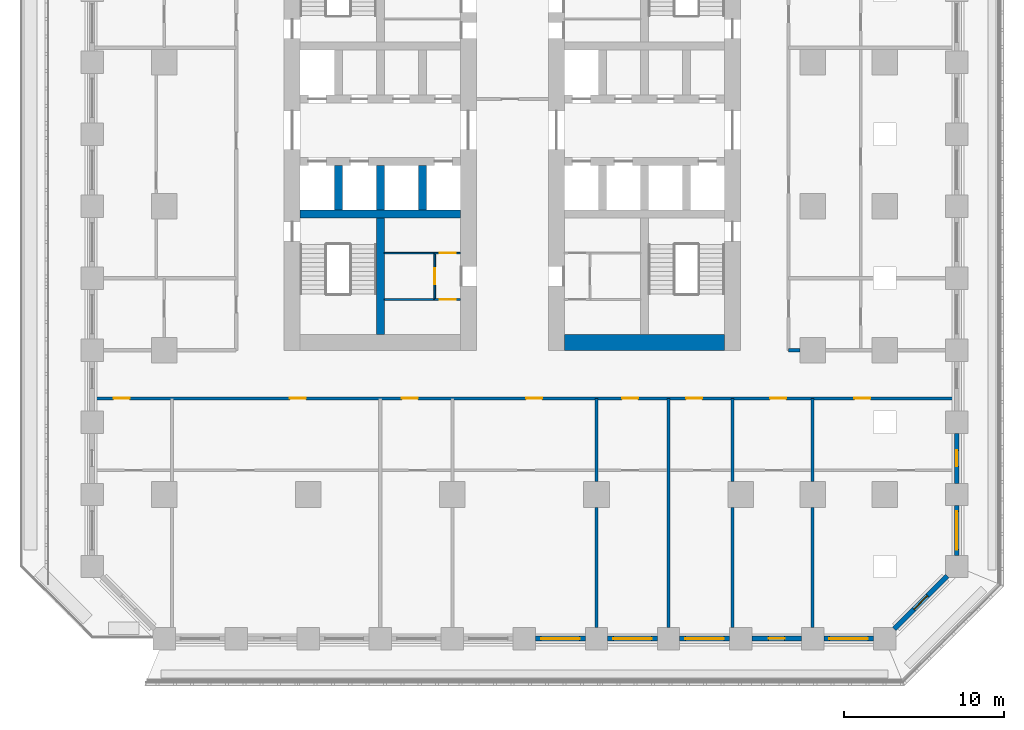
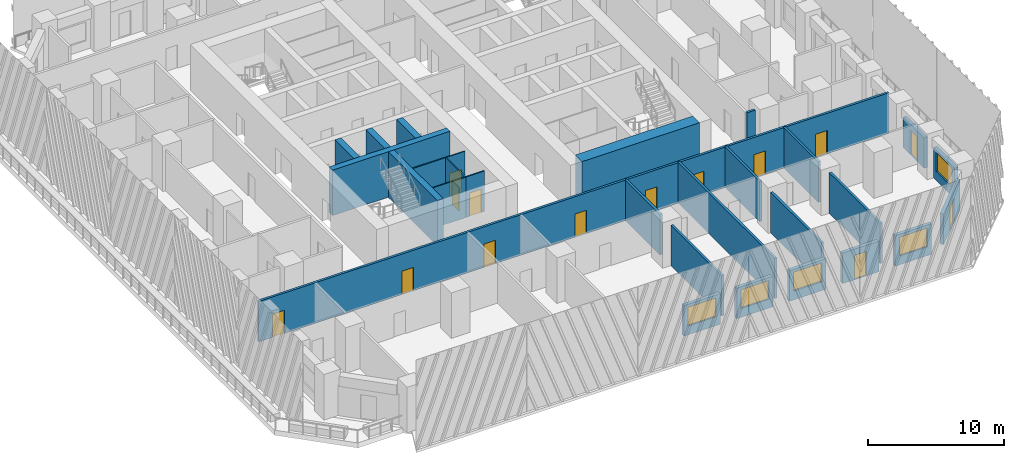
# One storey, part 4 of 15: 28 walls, 14 doors, 5 windows, 19 openings.
"""IFC4 building model written with IfcOpenShell, lengths in metres."""

from ifc_helpers import new_model, si_unit, direction, frame, frame_2d, origin, place, context, subcontext, project, spatial, rectangle, extrude, material, layer, layer_set, type_object, element, fill, save


model = new_model("IFC4")

# Units and contexts
model_context = context("Model", 3, precision=1e-05, world=origin(), true_north=direction((0.0, 1.0)))
body_context = subcontext(model_context, "Body", "Model", "MODEL_VIEW")
ifc_project = project(units=[si_unit("LENGTHUNIT", "METRE"), si_unit("AREAUNIT", "SQUARE_METRE"), si_unit("VOLUMEUNIT", "CUBIC_METRE"), si_unit("PLANEANGLEUNIT", "RADIAN"), si_unit("MASSUNIT", "GRAM", prefix="KILO")], contexts=[model_context])

# Site, building, storey
site_placement = place(None, origin())
site = spatial("IfcSite", under=ifc_project, at=site_placement, CompositionType="ELEMENT")
building_placement = place(site_placement, origin())
building = spatial("IfcBuilding", under=site, at=building_placement, Name="Corbel Stack Research Tower", CompositionType="ELEMENT")
storey_placement = place(building_placement, frame((0.0, 0.0, 41.89990234375)))
storey = spatial("IfcBuildingStorey", under=building, at=storey_placement, Name="L09", CompositionType="ELEMENT", Elevation=41.89990234375)

# Walls
ifc_material_1 = material(Name="Concrete C70/85", Category="concrete")
ifc_layer_1 = layer(ifc_material_1, 1.0)
ifc_layer_set_1 = layer_set([ifc_layer_1], Name="Concrete C70/85")
wall_type_1 = type_object("IfcWallType", Name="CW-1000-70", PredefinedType="SHEAR", material=ifc_layer_set_1)
wall_1_placement = place(storey_placement, frame((7.0, -8.5, 0.0), z_axis=(0.0, 0.0, 1.0), x_axis=(1.0, 0.0, 0.0)))
element("IfcWall", 1, at=wall_1_placement, inside=storey, type_object=wall_type_1, Name="East core wall, south end L09", PredefinedType="SHEAR", context=body_context, shape_type="SweptSolid", body=[
    extrude(rectangle(XDim=10.0, YDim=1.0, at=frame_2d((5.0, 0.0))), origin(), (0.0, 0.0, 1.0), 4.10009765625),
])
ifc_material_2 = material(Name="Concrete C70/85", Category="concrete")
ifc_layer_2 = layer(ifc_material_2, 0.5)
ifc_layer_set_2 = layer_set([ifc_layer_2], Name="Concrete C70/85")
wall_type_2 = type_object("IfcWallType", Name="CW-500-70", PredefinedType="SHEAR", material=ifc_layer_set_2)
wall_2_placement = place(storey_placement, frame((-9.5, -0.5, 0.0), z_axis=(0.0, 0.0, 1.0), x_axis=(1.0, 0.0, 0.0)))
element("IfcWall", 2, at=wall_2_placement, inside=storey, type_object=wall_type_2, Name="West core wall, south row back L09", PredefinedType="SHEAR", context=body_context, shape_type="SweptSolid", body=[
    extrude(rectangle(XDim=10.0, YDim=0.5, at=frame_2d((5.0, 0.0))), origin(), (0.0, 0.0, 1.0), 4.10009765625),
])
for number, where, z_axis, x_axis, name in (
    (3, (-7.125, -0.25, 0.0), (0.0, 0.0, 1.0), (0.0, 1.0, 0.0), "West core wall, south shaft 1 L09"),
    (4, (-4.5, -0.25, 0.0), (0.0, 0.0, 1.0), (0.0, 1.0, 0.0), "West core wall, south shaft 2 L09"),
    (5, (-1.875, -0.25, 0.0), (0.0, 0.0, 1.0), (0.0, 1.0, 0.0), "West core wall, south shaft 3 L09"),
):
    element("IfcWall", number, at=place(storey_placement, frame(where, z_axis=z_axis, x_axis=x_axis)), inside=storey, type_object=wall_type_2, Name=name, PredefinedType="SHEAR", context=body_context, shape_type="SweptSolid", body=[
        extrude(rectangle(XDim=2.800048828125, YDim=0.5, at=frame_2d((1.39990234375, 0.0))), origin(), (0.0, 0.0, 1.0), 4.10009765625),
    ])
wall_3_placement = place(storey_placement, frame((-4.5, -8.0, 0.0), z_axis=(0.0, 0.0, 1.0), x_axis=(0.0, 1.0, 0.0)))
element("IfcWall", 6, at=wall_3_placement, inside=storey, type_object=wall_type_2, Name="West core wall, south stair and WC L09", PredefinedType="SHEAR", context=body_context, shape_type="SweptSolid", body=[
    extrude(rectangle(XDim=7.25, YDim=0.5, at=frame_2d((3.625, 0.0))), origin(), (0.0, 0.0, 1.0), 4.10009765625),
])

# Wall, opening, door
ifc_material_3 = material(Name="Gypsum board")
ifc_layer_3 = layer(ifc_material_3, 0.10009765625)
ifc_layer_set_3 = layer_set([ifc_layer_3], Name="Gypsum board")
wall_type_3 = type_object("IfcWallType", Name="Core partition 100", PredefinedType="PARTITIONING", material=ifc_layer_set_3)
wall_4_placement = place(storey_placement, frame((-1.10009765625, -5.824951171875, 0.0), z_axis=(0.0, 0.0, 1.0), x_axis=(1.0, 0.0, 0.0)))
wall_4 = element("IfcWall", 7, at=wall_4_placement, inside=storey, type_object=wall_type_3, Name="Core partition W", PredefinedType="PARTITIONING", context=body_context, shape_type="SweptSolid", body=[
    extrude(rectangle(XDim=1.60009765625, YDim=0.10009765625, at=frame_2d((0.800048828125, 0.0))), origin(), (0.0, 0.0, 1.0), 3.650146484375),
])
opening_1_placement = place(wall_4_placement, frame((0.300048828125, 0.0, 0.0)))
opening_1 = element("IfcOpeningElement", 8, at=opening_1_placement, cuts=wall_4, Name="Opening CR-W36-W2-1000", PredefinedType="OPENING", context=body_context, shape_type="SweptSolid", body=[
    extrude(rectangle(XDim=1.0, YDim=2.10009765625, at=frame_2d((0.5, 1.050048828125))), frame((0.0, 0.06005859375, 0.0), z_axis=(0.0, -1.0, 0.0), x_axis=(1.0, 0.0, 0.0)), (0.0, 0.0, 1.0), 0.1201171875),
])
ifc_material_4 = material(Name="Painted timber door", Category="wood")
door_type_1 = type_object("IfcDoorType", Name="WC door 1000 x 2100 right hand", OperationType="SINGLE_SWING_RIGHT", PredefinedType="DOOR", material=ifc_material_4)
door_1_placement = place(opening_1_placement, origin())
door_1 = element("IfcDoor", 9, at=door_1_placement, inside=storey, type_object=door_type_1, Name="Men's WC door W core", OperationType="SINGLE_SWING_RIGHT", OverallHeight=2.10009765625, OverallWidth=1.0, PredefinedType="DOOR", context=body_context, shape_type="SweptSolid", body=[
    extrude(rectangle(XDim=1.0, YDim=2.10009765625, at=frame_2d((0.5, 1.050048828125))), frame((0.0, 0.02490234375, 0.0), z_axis=(0.0, -1.0, 0.0), x_axis=(1.0, 0.0, 0.0)), (0.0, 0.0, 1.0), 0.050048828125),
])
fill(opening_1, door_1)

wall_5_placement = place(storey_placement, frame((-1.10009765625, -2.925048828125, 0.0), z_axis=(0.0, 0.0, 1.0), x_axis=(1.0, 0.0, 0.0)))
wall_5 = element("IfcWall", 10, at=wall_5_placement, inside=storey, type_object=wall_type_3, Name="Core partition W", PredefinedType="PARTITIONING", context=body_context, shape_type="SweptSolid", body=[
    extrude(rectangle(XDim=1.60009765625, YDim=0.10009765625, at=frame_2d((0.800048828125, 0.0))), origin(), (0.0, 0.0, 1.0), 3.650146484375),
])
opening_2_placement = place(wall_5_placement, frame((0.300048828125, 0.0, 0.0)))
opening_2 = element("IfcOpeningElement", 11, at=opening_2_placement, cuts=wall_5, Name="Opening CR-W36-W3-1000", PredefinedType="OPENING", context=body_context, shape_type="SweptSolid", body=[
    extrude(rectangle(XDim=1.0, YDim=2.10009765625, at=frame_2d((0.5, 1.050048828125))), frame((0.0, 0.06005859375, 0.0), z_axis=(0.0, -1.0, 0.0), x_axis=(1.0, 0.0, 0.0)), (0.0, 0.0, 1.0), 0.1201171875),
])
ifc_material_5 = material(Name="Painted timber door", Category="wood")
door_type_2 = type_object("IfcDoorType", Name="WC door 1000 x 2100 left hand", OperationType="SINGLE_SWING_LEFT", PredefinedType="DOOR", material=ifc_material_5)
door_2_placement = place(opening_2_placement, origin())
door_2 = element("IfcDoor", 12, at=door_2_placement, inside=storey, type_object=door_type_2, Name="Women's WC door W core", OperationType="SINGLE_SWING_LEFT", OverallHeight=2.10009765625, OverallWidth=1.0, PredefinedType="DOOR", context=body_context, shape_type="SweptSolid", body=[
    extrude(rectangle(XDim=1.0, YDim=2.10009765625, at=frame_2d((0.5, 1.050048828125))), frame((0.0, 0.02490234375, 0.0), z_axis=(0.0, -1.0, 0.0), x_axis=(1.0, 0.0, 0.0)), (0.0, 0.0, 1.0), 0.050048828125),
])
fill(opening_2, door_2)

wall_6_placement = place(storey_placement, frame((-1.10009765625, -5.824951171875, 0.0), z_axis=(0.0, 0.0, 1.0), x_axis=(0.0, 1.0, 0.0)))
wall_6 = element("IfcWall", 13, at=wall_6_placement, inside=storey, type_object=wall_type_3, Name="Core partition W", PredefinedType="PARTITIONING", context=body_context, shape_type="SweptSolid", body=[
    extrude(rectangle(XDim=2.89990234375, YDim=0.10009765625, at=frame_2d((1.449951171875, 0.0))), origin(), (0.0, 0.0, 1.0), 3.650146484375),
])
opening_3_placement = place(wall_6_placement, frame((0.949951171875, 0.0, 0.0)))
opening_3 = element("IfcOpeningElement", 14, at=opening_3_placement, cuts=wall_6, Name="Opening CR-W36-W4-1000", PredefinedType="OPENING", context=body_context, shape_type="SweptSolid", body=[
    extrude(rectangle(XDim=1.0, YDim=2.10009765625, at=frame_2d((0.5, 1.050048828125))), frame((0.0, 0.06005859375, 0.0), z_axis=(0.0, -1.0, 0.0), x_axis=(1.0, 0.0, 0.0)), (0.0, 0.0, 1.0), 0.1201171875),
])
door_3_placement = place(opening_3_placement, origin())
door_3 = element("IfcDoor", 15, at=door_3_placement, inside=storey, type_object=door_type_1, Name="Accessible WC door W core", OperationType="SINGLE_SWING_RIGHT", OverallHeight=2.10009765625, OverallWidth=1.0, PredefinedType="DOOR", context=body_context, shape_type="SweptSolid", body=[
    extrude(rectangle(XDim=1.0, YDim=2.10009765625, at=frame_2d((0.5, 1.050048828125))), frame((0.0, 0.02490234375, 0.0), z_axis=(0.0, -1.0, 0.0), x_axis=(1.0, 0.0, 0.0)), (0.0, 0.0, 1.0), 0.050048828125),
])
fill(opening_3, door_3)

# Walls
for number, where, z_axis, x_axis, name in (
    (16, (-4.25, -5.824951171875, 0.0), (0.0, 0.0, 1.0), (1.0, 0.0, 0.0), "Core partition W"),
    (17, (-4.25, -2.925048828125, 0.0), (0.0, 0.0, 1.0), (1.0, 0.0, 0.0), "Core partition W"),
):
    element("IfcWall", number, at=place(storey_placement, frame(where, z_axis=z_axis, x_axis=x_axis)), inside=storey, type_object=wall_type_3, Name=name, PredefinedType="PARTITIONING", context=body_context, shape_type="SweptSolid", body=[
        extrude(rectangle(XDim=3.14990234375, YDim=0.10009765625, at=frame_2d((1.574951171875, 0.0))), origin(), (0.0, 0.0, 1.0), 3.650146484375),
    ])
ifc_material_6 = material(Name="Fire-rated gypsum board partition on steel studs", Category="steel")
ifc_layer_4 = layer(ifc_material_6, 0.199951171875)
ifc_layer_set_4 = layer_set([ifc_layer_4], Name="Fire-rated gypsum board partition on steel studs")
wall_type_4 = type_object("IfcWallType", Name="Fire-rated partition 200 EI 60", PredefinedType="PARTITIONING", material=ifc_layer_set_4)
wall_7_placement = place(storey_placement, frame((9.0, -26.300048828125, 0.0), z_axis=(0.0, 0.0, 1.0), x_axis=(0.0, 1.0, 0.0)))
element("IfcWall", 18, at=wall_7_placement, inside=storey, type_object=wall_type_4, Name="Partition L09-014", PredefinedType="PARTITIONING", context=body_context, shape_type="SweptSolid", body=[
    extrude(rectangle(XDim=7.5, YDim=0.199951171875, at=frame_2d((3.75, 0.0))), origin(), (0.0, 0.0, 1.0), 3.650146484375),
])
wall_8_placement = place(storey_placement, frame((9.0, -17.199951171875, 0.0), z_axis=(0.0, 0.0, 1.0), x_axis=(0.0, 1.0, 0.0)))
element("IfcWall", 19, at=wall_8_placement, inside=storey, type_object=wall_type_4, Name="Partition L09-015", PredefinedType="PARTITIONING", context=body_context, shape_type="SweptSolid", body=[
    extrude(rectangle(XDim=5.199951171875, YDim=0.199951171875, at=frame_2d((2.60009765625, 0.0))), origin(), (0.0, 0.0, 1.0), 3.650146484375),
])
wall_9_placement = place(storey_placement, frame((13.5, -26.300048828125, 0.0), z_axis=(0.0, 0.0, 1.0), x_axis=(0.0, 1.0, 0.0)))
element("IfcWall", 20, at=wall_9_placement, inside=storey, type_object=wall_type_4, Name="Partition L09-017", PredefinedType="PARTITIONING", context=body_context, shape_type="SweptSolid", body=[
    extrude(rectangle(XDim=14.300048828125, YDim=0.199951171875, at=frame_2d((7.14990234375, 0.0))), origin(), (0.0, 0.0, 1.0), 3.650146484375),
])
wall_10_placement = place(storey_placement, frame((17.5, -26.300048828125, 0.0), z_axis=(0.0, 0.0, 1.0), x_axis=(0.0, 1.0, 0.0)))
element("IfcWall", 21, at=wall_10_placement, inside=storey, type_object=wall_type_4, Name="Partition L09-019", PredefinedType="PARTITIONING", context=body_context, shape_type="SweptSolid", body=[
    extrude(rectangle(XDim=7.5, YDim=0.199951171875, at=frame_2d((3.75, 0.0))), origin(), (0.0, 0.0, 1.0), 3.650146484375),
])
wall_11_placement = place(storey_placement, frame((17.5, -17.199951171875, 0.0), z_axis=(0.0, 0.0, 1.0), x_axis=(0.0, 1.0, 0.0)))
element("IfcWall", 22, at=wall_11_placement, inside=storey, type_object=wall_type_4, Name="Partition L09-020", PredefinedType="PARTITIONING", context=body_context, shape_type="SweptSolid", body=[
    extrude(rectangle(XDim=5.199951171875, YDim=0.199951171875, at=frame_2d((2.60009765625, 0.0))), origin(), (0.0, 0.0, 1.0), 3.650146484375),
])
wall_12_placement = place(storey_placement, frame((22.5, -26.300048828125, 0.0), z_axis=(0.0, 0.0, 1.0), x_axis=(0.0, 1.0, 0.0)))
element("IfcWall", 23, at=wall_12_placement, inside=storey, type_object=wall_type_4, Name="Partition L09-023", PredefinedType="PARTITIONING", context=body_context, shape_type="SweptSolid", body=[
    extrude(rectangle(XDim=7.5, YDim=0.199951171875, at=frame_2d((3.75, 0.0))), origin(), (0.0, 0.0, 1.0), 3.650146484375),
])
wall_13_placement = place(storey_placement, frame((22.5, -17.199951171875, 0.0), z_axis=(0.0, 0.0, 1.0), x_axis=(0.0, 1.0, 0.0)))
element("IfcWall", 24, at=wall_13_placement, inside=storey, type_object=wall_type_4, Name="Partition L09-024", PredefinedType="PARTITIONING", context=body_context, shape_type="SweptSolid", body=[
    extrude(rectangle(XDim=5.199951171875, YDim=0.199951171875, at=frame_2d((2.60009765625, 0.0))), origin(), (0.0, 0.0, 1.0), 3.650146484375),
])

# Wall, openings, doors
wall_14_placement = place(storey_placement, frame((31.35009765625, -12.0, 0.0), z_axis=(0.0, 0.0, 1.0), x_axis=(-1.0, 0.0, 0.0)))
wall_14 = element("IfcWall", 25, at=wall_14_placement, inside=storey, type_object=wall_type_4, Name="Partition L09-028", PredefinedType="PARTITIONING", context=body_context, shape_type="SweptSolid", body=[
    extrude(rectangle(XDim=53.7001953125, YDim=0.199951171875, at=frame_2d((26.85009765625, 0.0))), origin(), (0.0, 0.0, 1.0), 3.650146484375),
])
opening_4_placement = place(wall_14_placement, frame((51.5, 0.0, 0.0)))
opening_4 = element("IfcOpeningElement", 26, at=opening_4_placement, cuts=wall_14, Name="Opening B2V0H-017", PredefinedType="OPENING", context=body_context, shape_type="SweptSolid", body=[
    extrude(rectangle(XDim=1.0, YDim=2.10009765625, at=frame_2d((0.5, 1.050048828125))), frame((0.0, 0.10986328125, 0.0), z_axis=(0.0, -1.0, 0.0), x_axis=(1.0, 0.0, 0.0)), (0.0, 0.0, 1.0), 0.219970703125),
])
opening_5_placement = place(wall_14_placement, frame((40.5, 0.0, 0.0)))
opening_5 = element("IfcOpeningElement", 27, at=opening_5_placement, cuts=wall_14, Name="Opening B2V0H-018", PredefinedType="OPENING", context=body_context, shape_type="SweptSolid", body=[
    extrude(rectangle(XDim=1.0, YDim=2.10009765625, at=frame_2d((0.5, 1.050048828125))), frame((0.0, 0.10986328125, 0.0), z_axis=(0.0, -1.0, 0.0), x_axis=(1.0, 0.0, 0.0)), (0.0, 0.0, 1.0), 0.219970703125),
])
opening_6_placement = place(wall_14_placement, frame((33.5, 0.0, 0.0)))
opening_6 = element("IfcOpeningElement", 28, at=opening_6_placement, cuts=wall_14, Name="Opening B2V0H-019", PredefinedType="OPENING", context=body_context, shape_type="SweptSolid", body=[
    extrude(rectangle(XDim=1.0, YDim=2.10009765625, at=frame_2d((0.5, 1.050048828125))), frame((0.0, 0.10986328125, 0.0), z_axis=(0.0, -1.0, 0.0), x_axis=(1.0, 0.0, 0.0)), (0.0, 0.0, 1.0), 0.219970703125),
])
opening_7_placement = place(wall_14_placement, frame((25.75, 0.0, 0.0)))
opening_7 = element("IfcOpeningElement", 29, at=opening_7_placement, cuts=wall_14, Name="Opening B2V0H-020", PredefinedType="OPENING", context=body_context, shape_type="SweptSolid", body=[
    extrude(rectangle(XDim=1.0, YDim=2.10009765625, at=frame_2d((0.5, 1.050048828125))), frame((0.0, 0.10986328125, 0.0), z_axis=(0.0, -1.0, 0.0), x_axis=(1.0, 0.0, 0.0)), (0.0, 0.0, 1.0), 0.219970703125),
])
opening_8_placement = place(wall_14_placement, frame((19.75, 0.0, 0.0)))
opening_8 = element("IfcOpeningElement", 30, at=opening_8_placement, cuts=wall_14, Name="Opening B2V0H-021", PredefinedType="OPENING", context=body_context, shape_type="SweptSolid", body=[
    extrude(rectangle(XDim=1.0, YDim=2.10009765625, at=frame_2d((0.5, 1.050048828125))), frame((0.0, 0.10986328125, 0.0), z_axis=(0.0, -1.0, 0.0), x_axis=(1.0, 0.0, 0.0)), (0.0, 0.0, 1.0), 0.219970703125),
])
opening_9_placement = place(wall_14_placement, frame((15.75, 0.0, 0.0)))
opening_9 = element("IfcOpeningElement", 31, at=opening_9_placement, cuts=wall_14, Name="Opening B2V0H-022", PredefinedType="OPENING", context=body_context, shape_type="SweptSolid", body=[
    extrude(rectangle(XDim=1.0, YDim=2.10009765625, at=frame_2d((0.5, 1.050048828125))), frame((0.0, 0.10986328125, 0.0), z_axis=(0.0, -1.0, 0.0), x_axis=(1.0, 0.0, 0.0)), (0.0, 0.0, 1.0), 0.219970703125),
])
opening_10_placement = place(wall_14_placement, frame((10.5, 0.0, 0.0)))
opening_10 = element("IfcOpeningElement", 32, at=opening_10_placement, cuts=wall_14, Name="Opening B2V0H-023", PredefinedType="OPENING", context=body_context, shape_type="SweptSolid", body=[
    extrude(rectangle(XDim=1.0, YDim=2.10009765625, at=frame_2d((0.5, 1.050048828125))), frame((0.0, 0.10986328125, 0.0), z_axis=(0.0, -1.0, 0.0), x_axis=(1.0, 0.0, 0.0)), (0.0, 0.0, 1.0), 0.219970703125),
])
opening_11_placement = place(wall_14_placement, frame((5.25, 0.0, 0.0)))
opening_11 = element("IfcOpeningElement", 33, at=opening_11_placement, cuts=wall_14, Name="Opening B2V0H-024", PredefinedType="OPENING", context=body_context, shape_type="SweptSolid", body=[
    extrude(rectangle(XDim=1.0, YDim=2.10009765625, at=frame_2d((0.5, 1.050048828125))), frame((0.0, 0.10986328125, 0.0), z_axis=(0.0, -1.0, 0.0), x_axis=(1.0, 0.0, 0.0)), (0.0, 0.0, 1.0), 0.219970703125),
])
ifc_material_7 = material(Name="Painted steel fire door", Category="steel")
door_type_3 = type_object("IfcDoorType", Name="Fire door FD30S 1000 x 2100", OperationType="NOTDEFINED", PredefinedType="DOOR", material=ifc_material_7)
door_4_placement = place(opening_4_placement, origin())
door_4 = element("IfcDoor", 34, at=door_4_placement, inside=storey, type_object=door_type_3, Name="Door B2V0H-017", OperationType="SINGLE_SWING_RIGHT", OverallHeight=2.10009765625, OverallWidth=1.0, PredefinedType="DOOR", context=body_context, shape_type="SweptSolid", body=[
    extrude(rectangle(XDim=1.0, YDim=2.10009765625, at=frame_2d((0.5, 1.050048828125))), frame((0.0, 0.02490234375, 0.0), z_axis=(0.0, -1.0, 0.0), x_axis=(1.0, 0.0, 0.0)), (0.0, 0.0, 1.0), 0.050048828125),
])
fill(opening_4, door_4)
door_5_placement = place(opening_5_placement, origin())
door_5 = element("IfcDoor", 35, at=door_5_placement, inside=storey, type_object=door_type_3, Name="Door B2V0H-018", OperationType="SINGLE_SWING_RIGHT", OverallHeight=2.10009765625, OverallWidth=1.0, PredefinedType="DOOR", context=body_context, shape_type="SweptSolid", body=[
    extrude(rectangle(XDim=1.0, YDim=2.10009765625, at=frame_2d((0.5, 1.050048828125))), frame((0.0, 0.02490234375, 0.0), z_axis=(0.0, -1.0, 0.0), x_axis=(1.0, 0.0, 0.0)), (0.0, 0.0, 1.0), 0.050048828125),
])
fill(opening_5, door_5)
door_6_placement = place(opening_6_placement, origin())
door_6 = element("IfcDoor", 36, at=door_6_placement, inside=storey, type_object=door_type_3, Name="Door B2V0H-019", OperationType="SINGLE_SWING_RIGHT", OverallHeight=2.10009765625, OverallWidth=1.0, PredefinedType="DOOR", context=body_context, shape_type="SweptSolid", body=[
    extrude(rectangle(XDim=1.0, YDim=2.10009765625, at=frame_2d((0.5, 1.050048828125))), frame((0.0, 0.02490234375, 0.0), z_axis=(0.0, -1.0, 0.0), x_axis=(1.0, 0.0, 0.0)), (0.0, 0.0, 1.0), 0.050048828125),
])
fill(opening_6, door_6)
door_7_placement = place(opening_7_placement, origin())
door_7 = element("IfcDoor", 37, at=door_7_placement, inside=storey, type_object=door_type_3, Name="Door B2V0H-020", OperationType="SINGLE_SWING_LEFT", OverallHeight=2.10009765625, OverallWidth=1.0, PredefinedType="DOOR", context=body_context, shape_type="SweptSolid", body=[
    extrude(rectangle(XDim=1.0, YDim=2.10009765625, at=frame_2d((0.5, 1.050048828125))), frame((0.0, 0.02490234375, 0.0), z_axis=(0.0, -1.0, 0.0), x_axis=(1.0, 0.0, 0.0)), (0.0, 0.0, 1.0), 0.050048828125),
])
fill(opening_7, door_7)
door_8_placement = place(opening_8_placement, origin())
door_8 = element("IfcDoor", 38, at=door_8_placement, inside=storey, type_object=door_type_3, Name="Door B2V0H-021", OperationType="SINGLE_SWING_LEFT", OverallHeight=2.10009765625, OverallWidth=1.0, PredefinedType="DOOR", context=body_context, shape_type="SweptSolid", body=[
    extrude(rectangle(XDim=1.0, YDim=2.10009765625, at=frame_2d((0.5, 1.050048828125))), frame((0.0, 0.02490234375, 0.0), z_axis=(0.0, -1.0, 0.0), x_axis=(1.0, 0.0, 0.0)), (0.0, 0.0, 1.0), 0.050048828125),
])
fill(opening_8, door_8)
door_9_placement = place(opening_9_placement, origin())
door_9 = element("IfcDoor", 39, at=door_9_placement, inside=storey, type_object=door_type_3, Name="Door B2V0H-022", OperationType="SINGLE_SWING_LEFT", OverallHeight=2.10009765625, OverallWidth=1.0, PredefinedType="DOOR", context=body_context, shape_type="SweptSolid", body=[
    extrude(rectangle(XDim=1.0, YDim=2.10009765625, at=frame_2d((0.5, 1.050048828125))), frame((0.0, 0.02490234375, 0.0), z_axis=(0.0, -1.0, 0.0), x_axis=(1.0, 0.0, 0.0)), (0.0, 0.0, 1.0), 0.050048828125),
])
fill(opening_9, door_9)
door_10_placement = place(opening_10_placement, origin())
door_10 = element("IfcDoor", 40, at=door_10_placement, inside=storey, type_object=door_type_3, Name="Door B2V0H-023", OperationType="SINGLE_SWING_LEFT", OverallHeight=2.10009765625, OverallWidth=1.0, PredefinedType="DOOR", context=body_context, shape_type="SweptSolid", body=[
    extrude(rectangle(XDim=1.0, YDim=2.10009765625, at=frame_2d((0.5, 1.050048828125))), frame((0.0, 0.02490234375, 0.0), z_axis=(0.0, -1.0, 0.0), x_axis=(1.0, 0.0, 0.0)), (0.0, 0.0, 1.0), 0.050048828125),
])
fill(opening_10, door_10)
door_11_placement = place(opening_11_placement, origin())
door_11 = element("IfcDoor", 41, at=door_11_placement, inside=storey, type_object=door_type_3, Name="Door B2V0H-024", OperationType="SINGLE_SWING_LEFT", OverallHeight=2.10009765625, OverallWidth=1.0, PredefinedType="DOOR", context=body_context, shape_type="SweptSolid", body=[
    extrude(rectangle(XDim=1.0, YDim=2.10009765625, at=frame_2d((0.5, 1.050048828125))), frame((0.0, 0.02490234375, 0.0), z_axis=(0.0, -1.0, 0.0), x_axis=(1.0, 0.0, 0.0)), (0.0, 0.0, 1.0), 0.050048828125),
])
fill(opening_11, door_11)

# Wall
wall_15_placement = place(storey_placement, frame((21.0, -9.0, 0.0), z_axis=(0.0, 0.0, 1.0), x_axis=(1.0, 0.0, 0.0)))
element("IfcWall", 42, at=wall_15_placement, inside=storey, type_object=wall_type_4, Name="Partition L09-031", PredefinedType="PARTITIONING", context=body_context, shape_type="SweptSolid", body=[
    extrude(rectangle(XDim=0.699951171875, YDim=0.199951171875, at=frame_2d((0.35009765625, 0.0))), origin(), (0.0, 0.0, 1.0), 3.650146484375),
])

# Wall, opening, window
ifc_material_8 = material(Name="Concrete C45/55", Category="concrete")
ifc_layer_5 = layer(ifc_material_8, 0.300048828125)
ifc_layer_set_5 = layer_set([ifc_layer_5], Name="Concrete C45/55")
wall_type_5 = type_object("IfcWallType", Name="Terracotta-faced concrete wall 300", PredefinedType="SOLIDWALL", material=ifc_layer_set_5)
wall_16_placement = place(storey_placement, frame((8.300048828125, -27.0, 0.0), z_axis=(0.0, 0.0, 1.0), x_axis=(-1.0, 0.0, 0.0)))
wall_16 = element("IfcWall", 43, at=wall_16_placement, inside=storey, type_object=wall_type_5, Name="Facade wall L09 S06", PredefinedType="SOLIDWALL", context=body_context, shape_type="SweptSolid", body=[
    extrude(rectangle(XDim=3.10009765625, YDim=0.300048828125, at=frame_2d((1.550048828125, 0.0))), origin(), (0.0, 0.0, 1.0), 2.75),
])
opening_12_placement = place(wall_16_placement, frame((0.35009765625, 0.0, 0.800048828125)))
opening_12 = element("IfcOpeningElement", 44, at=opening_12_placement, cuts=wall_16, Name="Opening W1", PredefinedType="OPENING", context=body_context, shape_type="SweptSolid", body=[
    extrude(rectangle(XDim=2.39990234375, YDim=1.699951171875, at=frame_2d((1.199951171875, 0.85009765625))), frame((0.0, 0.159912109375, 0.0), z_axis=(0.0, -1.0, 0.0), x_axis=(1.0, 0.0, 0.0)), (0.0, 0.0, 1.0), 0.320068359375),
])
ifc_material_9 = material(Name="Aluminium frame, clear double glazing", Category="aluminium")
window_type = type_object("IfcWindowType", Name="Window W1 2400 x 1700", PartitioningType="SINGLE_PANEL", PredefinedType="WINDOW", material=ifc_material_9)
window_1_placement = place(opening_12_placement, origin())
window_1 = element("IfcWindow", 45, at=window_1_placement, inside=storey, type_object=window_type, Name="Window W1 L09 S06", OverallHeight=1.699951171875, OverallWidth=2.39990234375, PartitioningType="SINGLE_PANEL", PredefinedType="WINDOW", context=body_context, shape_type="SweptSolid", body=[
    extrude(rectangle(XDim=2.39990234375, YDim=1.699951171875, at=frame_2d((1.199951171875, 0.85009765625))), frame((0.0, 0.030029296875, 0.0), z_axis=(0.0, -1.0, 0.0), x_axis=(1.0, 0.0, 0.0)), (0.0, 0.0, 1.0), 0.06005859375),
])
fill(opening_12, window_1)

wall_17_placement = place(storey_placement, frame((12.800048828125, -27.0, 0.0), z_axis=(0.0, 0.0, 1.0), x_axis=(-1.0, 0.0, 0.0)))
wall_17 = element("IfcWall", 46, at=wall_17_placement, inside=storey, type_object=wall_type_5, Name="Facade wall L09 S07", PredefinedType="SOLIDWALL", context=body_context, shape_type="SweptSolid", body=[
    extrude(rectangle(XDim=3.10009765625, YDim=0.300048828125, at=frame_2d((1.550048828125, 0.0))), origin(), (0.0, 0.0, 1.0), 2.75),
])
opening_13_placement = place(wall_17_placement, frame((0.35009765625, 0.0, 0.800048828125)))
opening_13 = element("IfcOpeningElement", 47, at=opening_13_placement, cuts=wall_17, Name="Opening W1", PredefinedType="OPENING", context=body_context, shape_type="SweptSolid", body=[
    extrude(rectangle(XDim=2.39990234375, YDim=1.699951171875, at=frame_2d((1.199951171875, 0.85009765625))), frame((0.0, 0.159912109375, 0.0), z_axis=(0.0, -1.0, 0.0), x_axis=(1.0, 0.0, 0.0)), (0.0, 0.0, 1.0), 0.320068359375),
])
window_2_placement = place(opening_13_placement, origin())
window_2 = element("IfcWindow", 48, at=window_2_placement, inside=storey, type_object=window_type, Name="Window W1 L09 S07", OverallHeight=1.699951171875, OverallWidth=2.39990234375, PartitioningType="SINGLE_PANEL", PredefinedType="WINDOW", context=body_context, shape_type="SweptSolid", body=[
    extrude(rectangle(XDim=2.39990234375, YDim=1.699951171875, at=frame_2d((1.199951171875, 0.85009765625))), frame((0.0, 0.030029296875, 0.0), z_axis=(0.0, -1.0, 0.0), x_axis=(1.0, 0.0, 0.0)), (0.0, 0.0, 1.0), 0.06005859375),
])
fill(opening_13, window_2)

wall_18_placement = place(storey_placement, frame((17.300048828125, -27.0, 0.0), z_axis=(0.0, 0.0, 1.0), x_axis=(-1.0, 0.0, 0.0)))
wall_18 = element("IfcWall", 49, at=wall_18_placement, inside=storey, type_object=wall_type_5, Name="Facade wall L09 S08", PredefinedType="SOLIDWALL", context=body_context, shape_type="SweptSolid", body=[
    extrude(rectangle(XDim=3.10009765625, YDim=0.300048828125, at=frame_2d((1.550048828125, 0.0))), origin(), (0.0, 0.0, 1.0), 2.75),
])
opening_14_placement = place(wall_18_placement, frame((0.35009765625, 0.0, 0.800048828125)))
opening_14 = element("IfcOpeningElement", 50, at=opening_14_placement, cuts=wall_18, Name="Opening W1", PredefinedType="OPENING", context=body_context, shape_type="SweptSolid", body=[
    extrude(rectangle(XDim=2.39990234375, YDim=1.699951171875, at=frame_2d((1.199951171875, 0.85009765625))), frame((0.0, 0.159912109375, 0.0), z_axis=(0.0, -1.0, 0.0), x_axis=(1.0, 0.0, 0.0)), (0.0, 0.0, 1.0), 0.320068359375),
])
window_3_placement = place(opening_14_placement, origin())
window_3 = element("IfcWindow", 51, at=window_3_placement, inside=storey, type_object=window_type, Name="Window W1 L09 S08", OverallHeight=1.699951171875, OverallWidth=2.39990234375, PartitioningType="SINGLE_PANEL", PredefinedType="WINDOW", context=body_context, shape_type="SweptSolid", body=[
    extrude(rectangle(XDim=2.39990234375, YDim=1.699951171875, at=frame_2d((1.199951171875, 0.85009765625))), frame((0.0, 0.030029296875, 0.0), z_axis=(0.0, -1.0, 0.0), x_axis=(1.0, 0.0, 0.0)), (0.0, 0.0, 1.0), 0.06005859375),
])
fill(opening_14, window_3)

# Wall, opening, door
wall_19_placement = place(storey_placement, frame((21.800048828125, -27.0, 0.0), z_axis=(0.0, 0.0, 1.0), x_axis=(-1.0, 0.0, 0.0)))
wall_19 = element("IfcWall", 52, at=wall_19_placement, inside=storey, type_object=wall_type_5, Name="Facade wall L09 S09", PredefinedType="SOLIDWALL", context=body_context, shape_type="SweptSolid", body=[
    extrude(rectangle(XDim=3.10009765625, YDim=0.300048828125, at=frame_2d((1.550048828125, 0.0))), origin(), (0.0, 0.0, 1.0), 2.75),
])
opening_15_placement = place(wall_19_placement, frame((1.050048828125, 0.0, 0.0)))
opening_15 = element("IfcOpeningElement", 53, at=opening_15_placement, cuts=wall_19, Name="Opening L09-B02", PredefinedType="OPENING", context=body_context, shape_type="SweptSolid", body=[
    extrude(rectangle(XDim=1.0, YDim=2.199951171875, at=frame_2d((0.5, 1.10009765625))), frame((0.0, 0.159912109375, 0.0), z_axis=(0.0, -1.0, 0.0), x_axis=(1.0, 0.0, 0.0)), (0.0, 0.0, 1.0), 0.320068359375),
])
ifc_material_10 = material(Name="Aluminium frame, clear double glazing", Category="aluminium")
door_type_4 = type_object("IfcDoorType", Name="Balcony door BD1 1000 x 2200", OperationType="NOTDEFINED", PredefinedType="DOOR", material=ifc_material_10)
door_12_placement = place(opening_15_placement, origin())
door_12 = element("IfcDoor", 54, at=door_12_placement, inside=storey, type_object=door_type_4, Name="Balcony door L09-B02", OperationType="SINGLE_SWING_RIGHT", OverallHeight=2.199951171875, OverallWidth=1.0, PredefinedType="DOOR", context=body_context, shape_type="SweptSolid", body=[
    extrude(rectangle(XDim=1.0, YDim=2.199951171875, at=frame_2d((0.5, 1.10009765625))), frame((0.0, 0.02490234375, 0.0), z_axis=(0.0, -1.0, 0.0), x_axis=(1.0, 0.0, 0.0)), (0.0, 0.0, 1.0), 0.050048828125),
])
fill(opening_15, door_12)

# Wall, opening, window
wall_20_placement = place(storey_placement, frame((26.300048828125, -27.0, 0.0), z_axis=(0.0, 0.0, 1.0), x_axis=(-1.0, 0.0, 0.0)))
wall_20 = element("IfcWall", 55, at=wall_20_placement, inside=storey, type_object=wall_type_5, Name="Facade wall L09 S10", PredefinedType="SOLIDWALL", context=body_context, shape_type="SweptSolid", body=[
    extrude(rectangle(XDim=3.10009765625, YDim=0.300048828125, at=frame_2d((1.550048828125, 0.0))), origin(), (0.0, 0.0, 1.0), 2.75),
])
opening_16_placement = place(wall_20_placement, frame((0.35009765625, 0.0, 0.800048828125)))
opening_16 = element("IfcOpeningElement", 56, at=opening_16_placement, cuts=wall_20, Name="Opening W1", PredefinedType="OPENING", context=body_context, shape_type="SweptSolid", body=[
    extrude(rectangle(XDim=2.39990234375, YDim=1.699951171875, at=frame_2d((1.199951171875, 0.85009765625))), frame((0.0, 0.159912109375, 0.0), z_axis=(0.0, -1.0, 0.0), x_axis=(1.0, 0.0, 0.0)), (0.0, 0.0, 1.0), 0.320068359375),
])
window_4_placement = place(opening_16_placement, origin())
window_4 = element("IfcWindow", 57, at=window_4_placement, inside=storey, type_object=window_type, Name="Window W1 L09 S10", OverallHeight=1.699951171875, OverallWidth=2.39990234375, PartitioningType="SINGLE_PANEL", PredefinedType="WINDOW", context=body_context, shape_type="SweptSolid", body=[
    extrude(rectangle(XDim=2.39990234375, YDim=1.699951171875, at=frame_2d((1.199951171875, 0.85009765625))), frame((0.0, 0.030029296875, 0.0), z_axis=(0.0, -1.0, 0.0), x_axis=(1.0, 0.0, 0.0)), (0.0, 0.0, 1.0), 0.06005859375),
])
fill(opening_16, window_4)

# Wall, opening, door
wall_21_placement = place(storey_placement, frame((30.906005859375, -23.093994140625, 0.0), z_axis=(0.0, 0.0, 1.0), x_axis=(-0.707106781187, -0.707106781187, 0.0)))
wall_21 = element("IfcWall", 58, at=wall_21_placement, inside=storey, type_object=wall_type_5, Name="Facade wall L09 SE01", PredefinedType="SOLIDWALL", context=body_context, shape_type="SweptSolid", body=[
    extrude(rectangle(XDim=4.683837890625, YDim=0.300048828125, at=frame_2d((2.341796875, 0.0))), origin(), (0.0, 0.0, 1.0), 2.75),
])
opening_17_placement = place(wall_21_placement, frame((1.741943359375, 0.0, 0.0)))
opening_17 = element("IfcOpeningElement", 59, at=opening_17_placement, cuts=wall_21, Name="Opening L09-B03", PredefinedType="OPENING", context=body_context, shape_type="SweptSolid", body=[
    extrude(rectangle(XDim=1.199951171875, YDim=2.199951171875, at=frame_2d((0.60009765625, 1.10009765625))), frame((0.0, 0.159912109375, 0.0), z_axis=(0.0, -1.0, 0.0), x_axis=(1.0, 0.0, 0.0)), (0.0, 0.0, 1.0), 0.320068359375),
])
ifc_material_11 = material(Name="Aluminium frame, clear double glazing", Category="aluminium")
door_type_5 = type_object("IfcDoorType", Name="Balcony door BD2 1200 x 2200", OperationType="NOTDEFINED", PredefinedType="DOOR", material=ifc_material_11)
door_13_placement = place(opening_17_placement, origin())
door_13 = element("IfcDoor", 60, at=door_13_placement, inside=storey, type_object=door_type_5, Name="Balcony door L09-B03", OperationType="SINGLE_SWING_RIGHT", OverallHeight=2.199951171875, OverallWidth=1.199951171875, PredefinedType="DOOR", context=body_context, shape_type="SweptSolid", body=[
    extrude(rectangle(XDim=1.199951171875, YDim=2.199951171875, at=frame_2d((0.60009765625, 1.10009765625))), frame((0.0, 0.02490234375, 0.0), z_axis=(0.0, -1.0, 0.0), x_axis=(1.0, 0.0, 0.0)), (0.0, 0.0, 1.0), 0.050048828125),
])
fill(opening_17, door_13)

# Wall, opening, window
wall_22_placement = place(storey_placement, frame((31.5, -18.699951171875, 0.0), z_axis=(0.0, 0.0, 1.0), x_axis=(0.0, -1.0, 0.0)))
wall_22 = element("IfcWall", 61, at=wall_22_placement, inside=storey, type_object=wall_type_5, Name="Facade wall L09 E01", PredefinedType="SOLIDWALL", context=body_context, shape_type="SweptSolid", body=[
    extrude(rectangle(XDim=3.10009765625, YDim=0.300048828125, at=frame_2d((1.550048828125, 0.0))), origin(), (0.0, 0.0, 1.0), 2.75),
])
opening_18_placement = place(wall_22_placement, frame((0.35009765625, 0.0, 0.800048828125)))
opening_18 = element("IfcOpeningElement", 62, at=opening_18_placement, cuts=wall_22, Name="Opening W1", PredefinedType="OPENING", context=body_context, shape_type="SweptSolid", body=[
    extrude(rectangle(XDim=2.39990234375, YDim=1.699951171875, at=frame_2d((1.199951171875, 0.85009765625))), frame((0.0, 0.159912109375, 0.0), z_axis=(0.0, -1.0, 0.0), x_axis=(1.0, 0.0, 0.0)), (0.0, 0.0, 1.0), 0.320068359375),
])
window_5_placement = place(opening_18_placement, origin())
window_5 = element("IfcWindow", 63, at=window_5_placement, inside=storey, type_object=window_type, Name="Window W1 L09 E01", OverallHeight=1.699951171875, OverallWidth=2.39990234375, PartitioningType="SINGLE_PANEL", PredefinedType="WINDOW", context=body_context, shape_type="SweptSolid", body=[
    extrude(rectangle(XDim=2.39990234375, YDim=1.699951171875, at=frame_2d((1.199951171875, 0.85009765625))), frame((0.0, 0.030029296875, 0.0), z_axis=(0.0, -1.0, 0.0), x_axis=(1.0, 0.0, 0.0)), (0.0, 0.0, 1.0), 0.06005859375),
])
fill(opening_18, window_5)

# Wall, opening, door
wall_23_placement = place(storey_placement, frame((31.5, -14.199951171875, 0.0), z_axis=(0.0, 0.0, 1.0), x_axis=(0.0, -1.0, 0.0)))
wall_23 = element("IfcWall", 64, at=wall_23_placement, inside=storey, type_object=wall_type_5, Name="Facade wall L09 E02", PredefinedType="SOLIDWALL", context=body_context, shape_type="SweptSolid", body=[
    extrude(rectangle(XDim=3.10009765625, YDim=0.300048828125, at=frame_2d((1.550048828125, 0.0))), origin(), (0.0, 0.0, 1.0), 2.75),
])
opening_19_placement = place(wall_23_placement, frame((1.050048828125, 0.0, 0.0)))
opening_19 = element("IfcOpeningElement", 65, at=opening_19_placement, cuts=wall_23, Name="Opening L09-B04", PredefinedType="OPENING", context=body_context, shape_type="SweptSolid", body=[
    extrude(rectangle(XDim=1.0, YDim=2.199951171875, at=frame_2d((0.5, 1.10009765625))), frame((0.0, 0.159912109375, 0.0), z_axis=(0.0, -1.0, 0.0), x_axis=(1.0, 0.0, 0.0)), (0.0, 0.0, 1.0), 0.320068359375),
])
door_14_placement = place(opening_19_placement, origin())
door_14 = element("IfcDoor", 66, at=door_14_placement, inside=storey, type_object=door_type_4, Name="Balcony door L09-B04", OperationType="SINGLE_SWING_LEFT", OverallHeight=2.199951171875, OverallWidth=1.0, PredefinedType="DOOR", context=body_context, shape_type="SweptSolid", body=[
    extrude(rectangle(XDim=1.0, YDim=2.199951171875, at=frame_2d((0.5, 1.10009765625))), frame((0.0, 0.02490234375, 0.0), z_axis=(0.0, -1.0, 0.0), x_axis=(1.0, 0.0, 0.0)), (0.0, 0.0, 1.0), 0.050048828125),
])
fill(opening_19, door_14)

save(model, "model.ifc")
